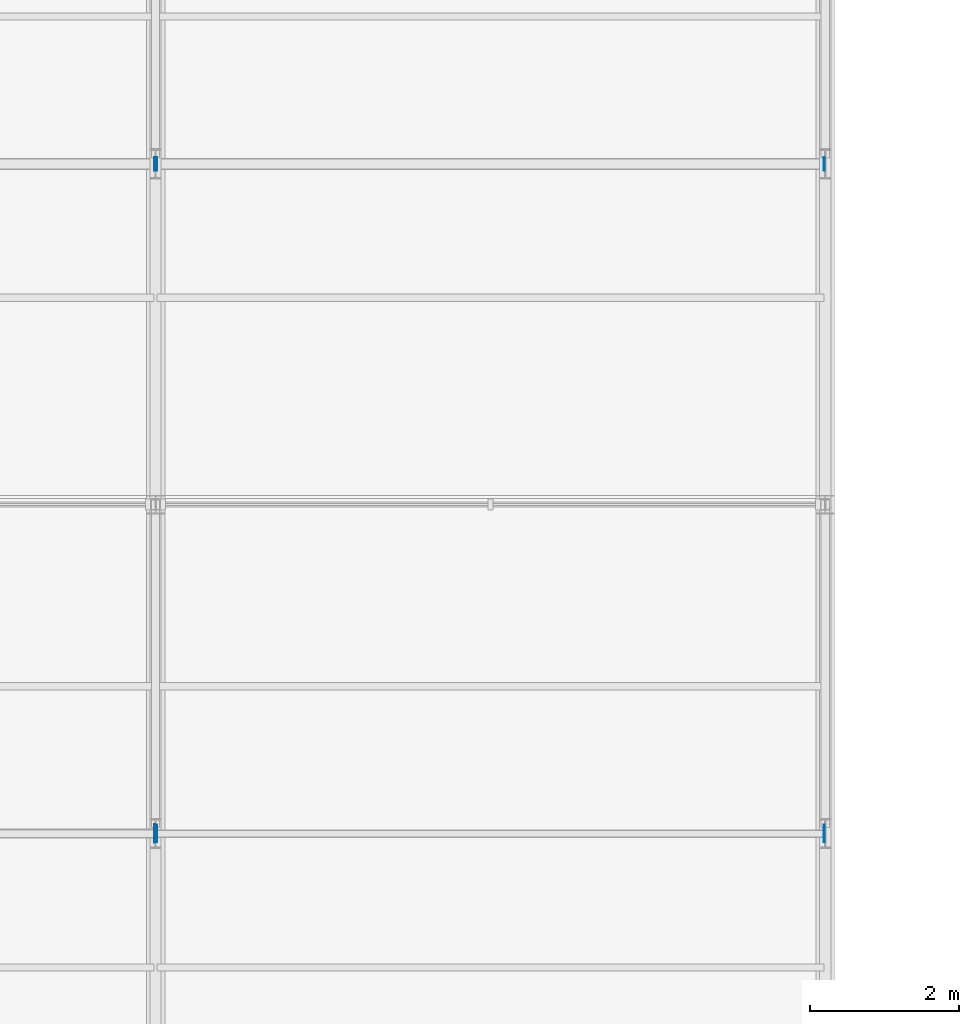
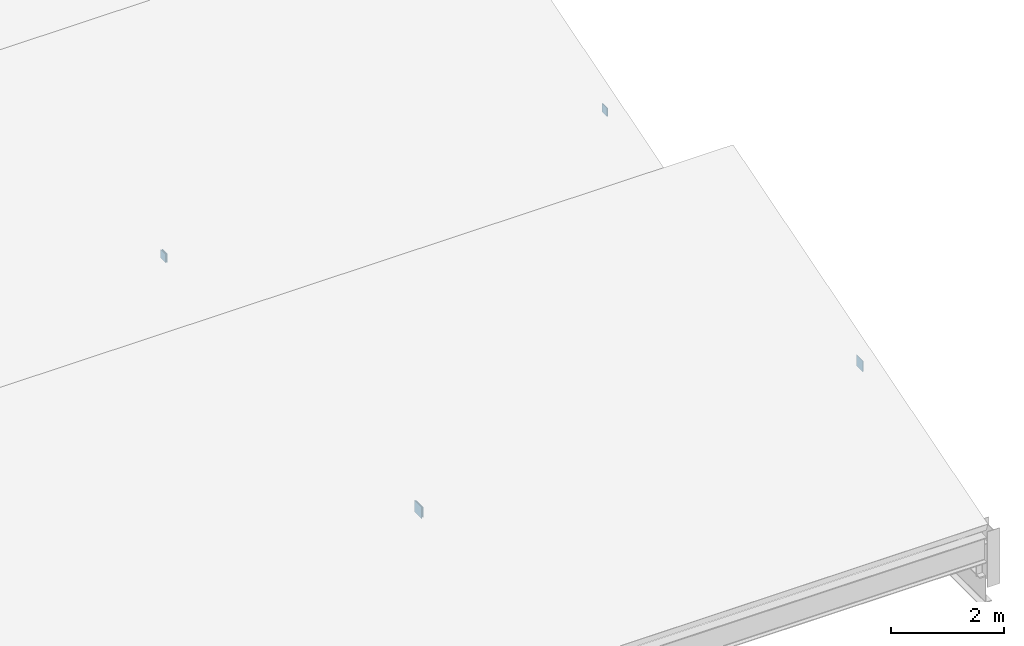
# One storey, part 144 of 163: 6 plates.
"""IFC4 building model written with IfcOpenShell, lengths in metres."""

from ifc_helpers import new_model, si_unit, direction, frame, origin, origin_2d, place, context, subcontext, project, spatial, rectangle, extrude, material, layer, layer_set, type_object, element, save


model = new_model("IFC4")

# Units and contexts
model_context = context("Model", 3, precision=1e-05, world=origin(), true_north=direction((0.0, 1.0)))
body_context = subcontext(model_context, "Body", "Model", "MODEL_VIEW")
ifc_project = project(units=[si_unit("LENGTHUNIT", "METRE"), si_unit("AREAUNIT", "SQUARE_METRE"), si_unit("VOLUMEUNIT", "CUBIC_METRE"), si_unit("PLANEANGLEUNIT", "RADIAN"), si_unit("MASSUNIT", "GRAM", prefix="KILO")], contexts=[model_context])

# Site, building, storey
site_placement = place(None, origin())
site = spatial("IfcSite", under=ifc_project, at=site_placement, CompositionType="ELEMENT")
building_placement = place(site_placement, origin())
building = spatial("IfcBuilding", under=site, at=building_placement, Name="Tharagai Park Tramway Depot", CompositionType="ELEMENT")
storey_placement = place(building_placement, frame((0.0, 0.0, 8.39990234375)))
storey = spatial("IfcBuildingStorey", under=building, at=storey_placement, Name="L02", CompositionType="ELEMENT", Elevation=8.39990234375)

# Plates
ifc_material = material(Name="Steel E350", Category="steel")
ifc_layer = layer(ifc_material, 0.011962890625)
ifc_layer_set = layer_set([ifc_layer], Name="Steel E350")
plate_type = type_object("IfcPlateType", Name="GP-04", PredefinedType="SHEET", material=ifc_layer_set)
plate_placement = place(storey_placement, frame((134.986083984375, 94.5, 1.821533203125), z_axis=(0.0, 0.0, 1.0), x_axis=(1.0, 0.0, 0.0)))
element("IfcPlate", 1, at=plate_placement, inside=storey, type_object=plate_type, Name="Tube End Cap Plate GP-04", PredefinedType="SHEET", context=body_context, shape_type="SweptSolid", body=[
    extrude(rectangle(XDim=0.011962890625, YDim=0.25, at=origin_2d()), origin(), (0.0, 0.0, 1.0), 0.25),
])
for number, where, z_axis, x_axis, name in (
    (2, (135.013916015625, 94.5, 1.83154296875), (0.0, 0.0, 1.0), (1.0, 0.0, 0.0), "Tube End Cap Plate GP-04"),
    (3, (143.986083984375, 94.5, 1.83154296875), (0.0, 0.0, 1.0), (1.0, 0.0, 0.0), "Tube End Cap Plate GP-04"),
):
    element("IfcPlate", number, at=place(storey_placement, frame(where, z_axis=z_axis, x_axis=x_axis)), inside=storey, type_object=plate_type, Name=name, PredefinedType="SHEET", context=body_context, shape_type="SweptSolid", body=[
        extrude(rectangle(XDim=0.011962890625, YDim=0.22998046875, at=origin_2d()), origin(), (0.0, 0.0, 1.0), 0.22998046875),
    ])
for number, where, z_axis, x_axis, name in (
    (4, (134.986083984375, 103.5, 1.8564453125), (0.0, 0.0, 1.0), (1.0, 0.0, 0.0), "Tube End Cap Plate GP-04"),
    (5, (135.013916015625, 103.5, 1.8564453125), (0.0, 0.0, 1.0), (1.0, 0.0, 0.0), "Tube End Cap Plate GP-04"),
    (6, (143.986083984375, 103.5, 1.8564453125), (0.0, 0.0, 1.0), (1.0, 0.0, 0.0), "Tube End Cap Plate GP-04"),
):
    element("IfcPlate", number, at=place(storey_placement, frame(where, z_axis=z_axis, x_axis=x_axis)), inside=storey, type_object=plate_type, Name=name, PredefinedType="SHEET", context=body_context, shape_type="SweptSolid", body=[
        extrude(rectangle(XDim=0.011962890625, YDim=0.179931640625, at=origin_2d()), origin(), (0.0, 0.0, 1.0), 0.179931640625),
    ])

save(model, "model.ifc")
